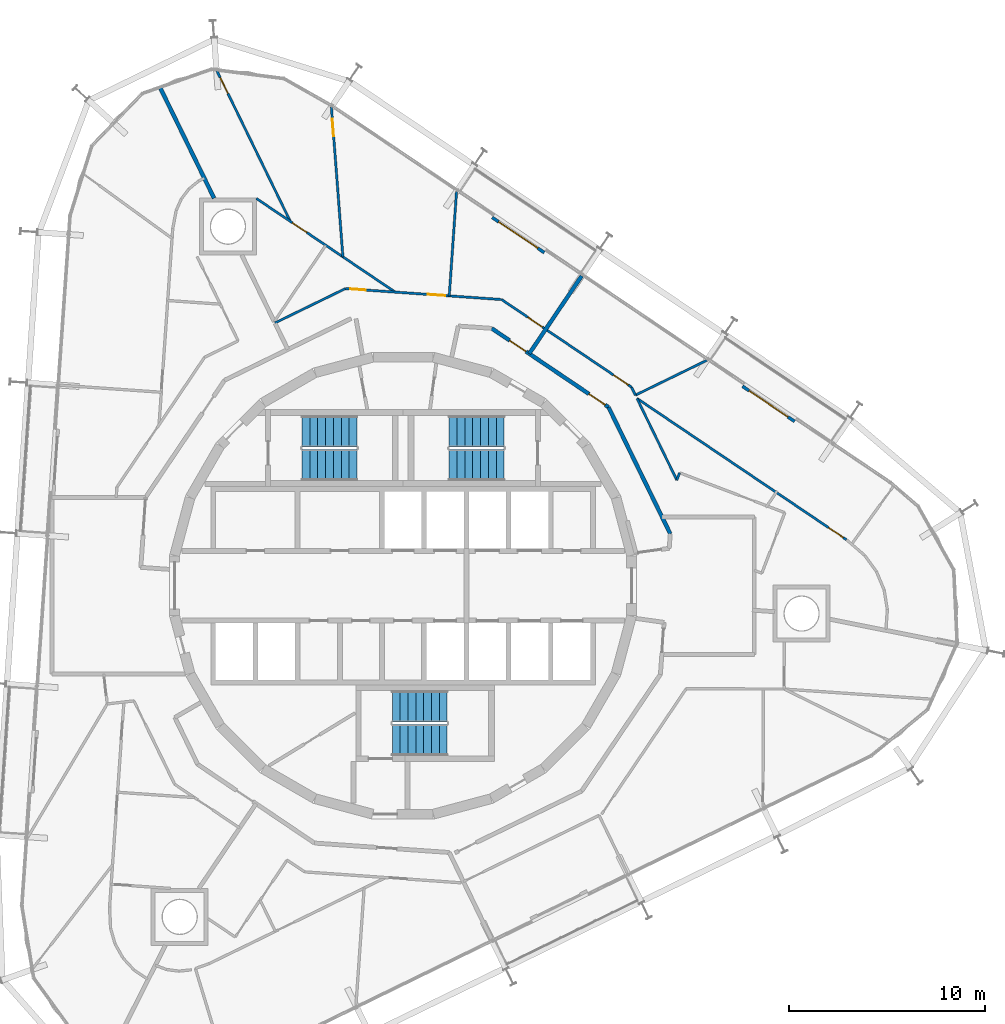
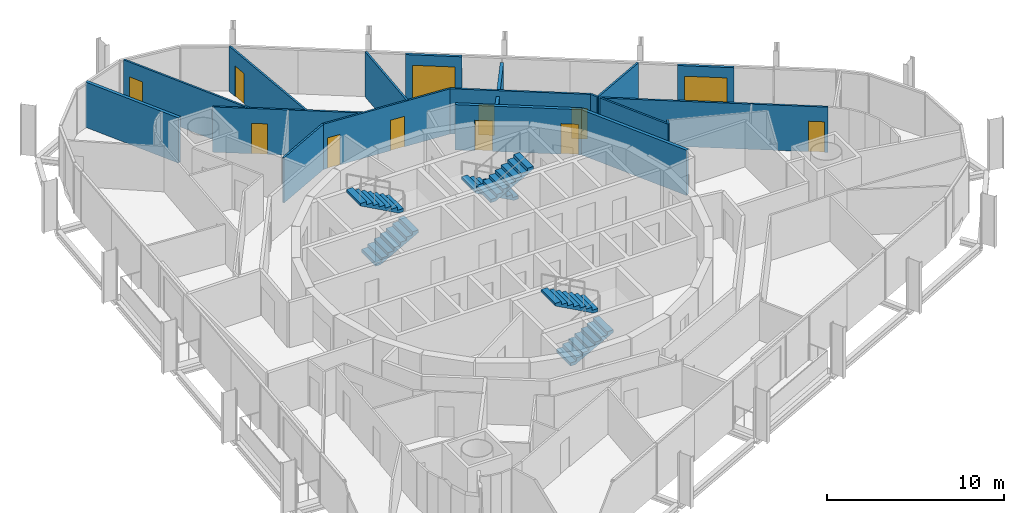
# One storey, part 16 of 17: 18 walls, 12 doors, 6 stair flights, 12 openings, 3 elements without a shape of their own.
"""IFC4 building model written with IfcOpenShell, lengths in metres."""

from ifc_helpers import new_model, si_unit, direction, frame, frame_2d, origin, place, context, subcontext, project, spatial, polyline, rectangle, outline, extrude, material, layer, layer_set, type_object, element, fill, aggregate, save


model = new_model("IFC4")

# Units and contexts
model_context = context("Model", 3, precision=1e-05, world=origin(), true_north=direction((0.0, 1.0)))
body_context = subcontext(model_context, "Body", "Model", "MODEL_VIEW")
ifc_project = project(units=[si_unit("LENGTHUNIT", "METRE"), si_unit("AREAUNIT", "SQUARE_METRE"), si_unit("VOLUMEUNIT", "CUBIC_METRE"), si_unit("PLANEANGLEUNIT", "RADIAN"), si_unit("MASSUNIT", "GRAM", prefix="KILO")], contexts=[model_context])

# Site, building, storey
site_placement = place(None, origin())
site = spatial("IfcSite", under=ifc_project, at=site_placement, CompositionType="ELEMENT")
building_placement = place(site_placement, origin())
building = spatial("IfcBuilding", under=site, at=building_placement, Name="Spindle Arch Residences", CompositionType="ELEMENT")
storey_placement = place(building_placement, frame((0.0, 0.0, 191.89990234375)))
storey = spatial("IfcBuildingStorey", under=building, at=storey_placement, Name="L48", CompositionType="ELEMENT", Elevation=191.89990234375)

# Wall, openings, doors
ifc_material_1 = material(Name="Calcium silicate block, plastered")
ifc_layer_1 = layer(ifc_material_1, 0.199951171875)
ifc_layer_set_1 = layer_set([ifc_layer_1], Name="Corridor wall 200")
wall_type_1 = type_object("IfcWallType", Name="Corridor wall 200", PredefinedType="STANDARD", material=ifc_layer_set_1)
wall_1_placement = place(storey_placement, frame((10.469970703125, 9.101318359375, 0.0), z_axis=(0.0, 0.0, 1.0), x_axis=(-0.829035841718, 0.559195469534, 0.0)))
wall_1 = element("IfcWall", 1, at=wall_1_placement, inside=storey, type_object=wall_type_1, Name="Corridor wall R5A1-W005", PredefinedType="STANDARD", context=body_context, shape_type="SweptSolid", body=[
    extrude(rectangle(XDim=7.18115234375, YDim=0.199951171875, at=frame_2d((3.590576171875, 0.0))), origin(), (0.0, 0.0, 1.0), 3.1201171875),
])
opening_1_placement = place(wall_1_placement, frame((0.199951171875, 0.0, 0.0)))
opening_1 = element("IfcOpeningElement", 2, at=opening_1_placement, cuts=wall_1, Name="Opening R5A1-FD01", PredefinedType="OPENING", context=body_context, shape_type="SweptSolid", body=[
    extrude(rectangle(XDim=1.0, YDim=2.10009765625, at=frame_2d((0.5, 1.050048828125))), frame((0.0, 0.10986328125, 0.0), z_axis=(0.0, -1.0, 0.0), x_axis=(1.0, 0.0, 0.0)), (0.0, 0.0, 1.0), 0.219970703125),
])
opening_2_placement = place(wall_1_placement, frame((5.07275390625, 0.0, 0.0)))
opening_2 = element("IfcOpeningElement", 3, at=opening_2_placement, cuts=wall_1, Name="Opening R5A1-FD02", PredefinedType="OPENING", context=body_context, shape_type="SweptSolid", body=[
    extrude(rectangle(XDim=1.0, YDim=2.10009765625, at=frame_2d((0.5, 1.050048828125))), frame((0.0, 0.10986328125, 0.0), z_axis=(0.0, -1.0, 0.0), x_axis=(1.0, 0.0, 0.0)), (0.0, 0.0, 1.0), 0.219970703125),
])
ifc_material_2 = material(Name="Timber, fire-resisting door set", Category="wood")
door_type_1 = type_object("IfcDoorType", Name="Flat entrance door 1000x2100", OperationType="NOTDEFINED", PredefinedType="DOOR", material=ifc_material_2)
door_1_placement = place(opening_1_placement, origin())
door_1 = element("IfcDoor", 4, at=door_1_placement, inside=storey, type_object=door_type_1, Name="Flat entrance door R5A1-FD01", OperationType="SINGLE_SWING_LEFT", OverallHeight=2.10009765625, OverallWidth=1.0, PredefinedType="DOOR", context=body_context, shape_type="SweptSolid", body=[
    extrude(rectangle(XDim=1.0, YDim=2.10009765625, at=frame_2d((0.5, 1.050048828125))), frame((0.0, 0.02490234375, 0.0), z_axis=(0.0, -1.0, 0.0), x_axis=(1.0, 0.0, 0.0)), (0.0, 0.0, 1.0), 0.050048828125),
])
fill(opening_1, door_1)
door_2_placement = place(opening_2_placement, origin())
door_2 = element("IfcDoor", 5, at=door_2_placement, inside=storey, type_object=door_type_1, Name="Flat entrance door R5A1-FD02", OperationType="SINGLE_SWING_RIGHT", OverallHeight=2.10009765625, OverallWidth=1.0, PredefinedType="DOOR", context=body_context, shape_type="SweptSolid", body=[
    extrude(rectangle(XDim=1.0, YDim=2.10009765625, at=frame_2d((0.5, 1.050048828125))), frame((0.0, 0.02490234375, 0.0), z_axis=(0.0, -1.0, 0.0), x_axis=(1.0, 0.0, 0.0)), (0.0, 0.0, 1.0), 0.050048828125),
])
fill(opening_2, door_2)

# Walls
ifc_material_3 = material(Name="Calcium silicate block, plastered")
ifc_layer_2 = layer(ifc_material_3, 0.199951171875)
ifc_layer_set_2 = layer_set([ifc_layer_2], Name="Fire-lift lobby bay wall 200")
wall_type_2 = type_object("IfcWallType", Name="Fire-lift lobby bay wall 200", PredefinedType="STANDARD", material=ifc_layer_set_2)
wall_2_placement = place(storey_placement, frame((13.617919921875, 2.64697265625, 0.0), z_axis=(0.0, 0.0, 1.0), x_axis=(-0.438366026218, 0.898796543751, 0.0)))
element("IfcWall", 6, at=wall_2_placement, inside=storey, type_object=wall_type_2, Name="Fire-lift lobby bay wall R5A1-W004", PredefinedType="STANDARD", context=body_context, shape_type="SweptSolid", body=[
    extrude(rectangle(XDim=7.18115234375, YDim=0.199951171875, at=frame_2d((3.590576171875, 0.0))), origin(), (0.0, 0.0, 1.0), 3.1201171875),
])
ifc_material_4 = material(Name="Plasterboard on steel studs", Category="steel")
ifc_layer_3 = layer(ifc_material_4, 0.1201171875)
ifc_layer_set_3 = layer_set([ifc_layer_3], Name="Flat partition 120")
wall_type_3 = type_object("IfcWallType", Name="Flat partition 120", PredefinedType="PARTITIONING", material=ifc_layer_set_3)
wall_3_placement = place(storey_placement, frame((14.094482421875, 5.755615234375, 0.0), z_axis=(0.0, 0.0, 1.0), x_axis=(-0.354267529254, -0.935144116014, 0.0)))
element("IfcWall", 7, at=wall_3_placement, inside=storey, type_object=wall_type_3, Name="Flat partition R5A1-W039", PredefinedType="PARTITIONING", context=body_context, shape_type="SweptSolid", body=[
    extrude(rectangle(XDim=0.399658203125, YDim=0.1201171875, at=frame_2d((0.19970703125, 0.0))), origin(), (0.0, 0.0, 1.0), 3.1201171875),
])
wall_4_placement = place(storey_placement, frame((13.952880859375, 5.3818359375, 0.0), z_axis=(0.0, 0.0, 1.0), x_axis=(-0.438382107355, 0.898788700391, 0.0)))
element("IfcWall", 8, at=wall_4_placement, inside=storey, type_object=wall_type_3, Name="Flat partition R5A1-W040", PredefinedType="PARTITIONING", context=body_context, shape_type="SweptSolid", body=[
    extrude(rectangle(XDim=4.633544921875, YDim=0.1201171875, at=frame_2d((2.31689453125, 0.0))), origin(), (0.0, 0.0, 1.0), 3.1201171875),
])
wall_5_placement = place(storey_placement, frame((11.841064453125, 9.711669921875, 0.0), z_axis=(0.0, 0.0, 1.0), x_axis=(-0.438381293215, 0.898789097486, 0.0)))
element("IfcWall", 9, at=wall_5_placement, inside=storey, type_object=wall_type_3, Name="Flat partition R5A1-W041", PredefinedType="PARTITIONING", context=body_context, shape_type="SweptSolid", body=[
    extrude(rectangle(XDim=0.454345703125, YDim=0.1201171875, at=frame_2d((0.22705078125, 0.0))), origin(), (0.0, 0.0, 1.0), 3.1201171875),
])

# Wall, openings, doors
wall_6_placement = place(storey_placement, frame((11.641845703125, 10.1201171875, 0.0), z_axis=(0.0, 0.0, 1.0), x_axis=(-0.829032241779, 0.55920080659, 0.0)))
wall_6 = element("IfcWall", 10, at=wall_6_placement, inside=storey, type_object=wall_type_3, Name="Flat partition R5A1-W042", PredefinedType="PARTITIONING", context=body_context, shape_type="SweptSolid", body=[
    extrude(rectangle(XDim=7.98486328125, YDim=0.1201171875, at=frame_2d((3.992431640625, 0.0))), origin(), (0.0, 0.0, 1.0), 3.1201171875),
])
opening_3_placement = place(wall_6_placement, frame((0.199951171875, 0.0, 0.0)))
opening_3 = element("IfcOpeningElement", 11, at=opening_3_placement, cuts=wall_6, Name="Opening R5A1-ID02", PredefinedType="OPENING", context=body_context, shape_type="SweptSolid", body=[
    extrude(rectangle(XDim=0.89990234375, YDim=2.10009765625, at=frame_2d((0.449951171875, 1.050048828125))), frame((0.0, 0.070068359375, 0.0), z_axis=(0.0, -1.0, 0.0), x_axis=(1.0, 0.0, 0.0)), (0.0, 0.0, 1.0), 0.14013671875),
])
opening_4_placement = place(wall_6_placement, frame((5.474853515625, 0.0, 0.0)))
opening_4 = element("IfcOpeningElement", 12, at=opening_4_placement, cuts=wall_6, Name="Opening R5A1-ID05", PredefinedType="OPENING", context=body_context, shape_type="SweptSolid", body=[
    extrude(rectangle(XDim=0.89990234375, YDim=2.10009765625, at=frame_2d((0.449951171875, 1.050048828125))), frame((0.0, 0.070068359375, 0.0), z_axis=(0.0, -1.0, 0.0), x_axis=(1.0, 0.0, 0.0)), (0.0, 0.0, 1.0), 0.14013671875),
])
ifc_material_5 = material(Name="Timber door set", Category="wood")
door_type_2 = type_object("IfcDoorType", Name="Room door 900x2100", OperationType="NOTDEFINED", PredefinedType="DOOR", material=ifc_material_5)
door_3_placement = place(opening_3_placement, origin())
door_3 = element("IfcDoor", 13, at=door_3_placement, inside=storey, type_object=door_type_2, Name="Room door R5A1-ID02", OperationType="SINGLE_SWING_LEFT", OverallHeight=2.10009765625, OverallWidth=0.89990234375, PredefinedType="DOOR", context=body_context, shape_type="SweptSolid", body=[
    extrude(rectangle(XDim=0.89990234375, YDim=2.10009765625, at=frame_2d((0.449951171875, 1.050048828125))), frame((0.0, 0.02490234375, 0.0), z_axis=(0.0, -1.0, 0.0), x_axis=(1.0, 0.0, 0.0)), (0.0, 0.0, 1.0), 0.050048828125),
])
fill(opening_3, door_3)
door_4_placement = place(opening_4_placement, origin())
door_4 = element("IfcDoor", 14, at=door_4_placement, inside=storey, type_object=door_type_2, Name="Room door R5A1-ID05", OperationType="SINGLE_SWING_RIGHT", OverallHeight=2.10009765625, OverallWidth=0.89990234375, PredefinedType="DOOR", context=body_context, shape_type="SweptSolid", body=[
    extrude(rectangle(XDim=0.89990234375, YDim=2.10009765625, at=frame_2d((0.449951171875, 1.050048828125))), frame((0.0, 0.02490234375, 0.0), z_axis=(0.0, -1.0, 0.0), x_axis=(1.0, 0.0, 0.0)), (0.0, 0.0, 1.0), 0.050048828125),
])
fill(opening_4, door_4)

# Wall, opening, door
wall_7_placement = place(storey_placement, frame((22.598388671875, 2.3447265625, 0.0), z_axis=(0.0, 0.0, 1.0), x_axis=(-0.829034113947, 0.559198031034, 0.0)))
wall_7 = element("IfcWall", 15, at=wall_7_placement, inside=storey, type_object=wall_type_3, Name="Flat partition R5A1-W049", PredefinedType="PARTITIONING", context=body_context, shape_type="SweptSolid", body=[
    extrude(rectangle(XDim=12.878662109375, YDim=0.1201171875, at=frame_2d((6.439453125, 0.0))), origin(), (0.0, 0.0, 1.0), 3.1201171875),
])
opening_5_placement = place(wall_7_placement, frame((0.199951171875, 0.0, 0.0)))
opening_5 = element("IfcOpeningElement", 16, at=opening_5_placement, cuts=wall_7, Name="Opening R5A1-ID03", PredefinedType="OPENING", context=body_context, shape_type="SweptSolid", body=[
    extrude(rectangle(XDim=0.89990234375, YDim=2.10009765625, at=frame_2d((0.449951171875, 1.050048828125))), frame((0.0, 0.070068359375, 0.0), z_axis=(0.0, -1.0, 0.0), x_axis=(1.0, 0.0, 0.0)), (0.0, 0.0, 1.0), 0.14013671875),
])
door_5_placement = place(opening_5_placement, origin())
door_5 = element("IfcDoor", 17, at=door_5_placement, inside=storey, type_object=door_type_2, Name="Room door R5A1-ID03", OperationType="SINGLE_SWING_LEFT", OverallHeight=2.10009765625, OverallWidth=0.89990234375, PredefinedType="DOOR", context=body_context, shape_type="SweptSolid", body=[
    extrude(rectangle(XDim=0.89990234375, YDim=2.10009765625, at=frame_2d((0.449951171875, 1.050048828125))), frame((0.0, 0.02490234375, 0.0), z_axis=(0.0, -1.0, 0.0), x_axis=(1.0, 0.0, 0.0)), (0.0, 0.0, 1.0), 0.050048828125),
])
fill(opening_5, door_5)

# Wall
wall_8_placement = place(storey_placement, frame((15.48193359375, 11.4873046875, 0.0), z_axis=(0.0, 0.0, 1.0), x_axis=(-0.898807251285, -0.438344071521, 0.0)))
element("IfcWall", 18, at=wall_8_placement, inside=storey, type_object=wall_type_3, Name="Flat partition R5A1-W051", PredefinedType="PARTITIONING", context=body_context, shape_type="SweptSolid", body=[
    extrude(rectangle(XDim=4.05078125, YDim=0.1201171875, at=frame_2d((2.025390625, 0.0))), origin(), (0.0, 0.0, 1.0), 3.1201171875),
])

# Wall, openings, doors
wall_9_placement = place(storey_placement, frame((5.022216796875, 14.585205078125, 0.0), z_axis=(0.0, 0.0, 1.0), x_axis=(-0.997565118395, 0.069741197017, 0.0)))
wall_9 = element("IfcWall", 19, at=wall_9_placement, inside=storey, type_object=wall_type_3, Name="Flat partition R5A1-W052", PredefinedType="PARTITIONING", context=body_context, shape_type="SweptSolid", body=[
    extrude(rectangle(XDim=7.985107421875, YDim=0.1201171875, at=frame_2d((3.99267578125, 0.0))), origin(), (0.0, 0.0, 1.0), 3.1201171875),
])
opening_6_placement = place(wall_9_placement, frame((2.87548828125, 0.0, 0.0)))
opening_6 = element("IfcOpeningElement", 20, at=opening_6_placement, cuts=wall_9, Name="Opening R5A1-ID06", PredefinedType="OPENING", context=body_context, shape_type="SweptSolid", body=[
    extrude(rectangle(XDim=0.89990234375, YDim=2.10009765625, at=frame_2d((0.449951171875, 1.050048828125))), frame((0.0, 0.070068359375, 0.0), z_axis=(0.0, -1.0, 0.0), x_axis=(1.0, 0.0, 0.0)), (0.0, 0.0, 1.0), 0.14013671875),
])
opening_7_placement = place(wall_9_placement, frame((6.9384765625, 0.0, 0.0)))
opening_7 = element("IfcOpeningElement", 21, at=opening_7_placement, cuts=wall_9, Name="Opening R5A1-BD02", PredefinedType="OPENING", context=body_context, shape_type="SweptSolid", body=[
    extrude(rectangle(XDim=0.800048828125, YDim=2.10009765625, at=frame_2d((0.39990234375, 1.050048828125))), frame((0.0, 0.070068359375, 0.0), z_axis=(0.0, -1.0, 0.0), x_axis=(1.0, 0.0, 0.0)), (0.0, 0.0, 1.0), 0.14013671875),
])
ifc_material_6 = material(Name="Timber door set", Category="wood")
door_type_3 = type_object("IfcDoorType", Name="Bathroom door 800x2100", OperationType="NOTDEFINED", PredefinedType="DOOR", material=ifc_material_6)
door_6_placement = place(opening_7_placement, origin())
door_6 = element("IfcDoor", 22, at=door_6_placement, inside=storey, type_object=door_type_3, Name="Bathroom door R5A1-BD02", OperationType="SINGLE_SWING_RIGHT", OverallHeight=2.10009765625, OverallWidth=0.800048828125, PredefinedType="DOOR", context=body_context, shape_type="SweptSolid", body=[
    extrude(rectangle(XDim=0.800048828125, YDim=2.10009765625, at=frame_2d((0.39990234375, 1.050048828125))), frame((0.0, 0.02490234375, 0.0), z_axis=(0.0, -1.0, 0.0), x_axis=(1.0, 0.0, 0.0)), (0.0, 0.0, 1.0), 0.050048828125),
])
fill(opening_7, door_6)
door_7_placement = place(opening_6_placement, origin())
door_7 = element("IfcDoor", 23, at=door_7_placement, inside=storey, type_object=door_type_2, Name="Room door R5A1-ID06", OperationType="SINGLE_SWING_RIGHT", OverallHeight=2.10009765625, OverallWidth=0.89990234375, PredefinedType="DOOR", context=body_context, shape_type="SweptSolid", body=[
    extrude(rectangle(XDim=0.89990234375, YDim=2.10009765625, at=frame_2d((0.449951171875, 1.050048828125))), frame((0.0, 0.02490234375, 0.0), z_axis=(0.0, -1.0, 0.0), x_axis=(1.0, 0.0, 0.0)), (0.0, 0.0, 1.0), 0.050048828125),
])
fill(opening_6, door_7)

# Walls
wall_10_placement = place(storey_placement, frame((-2.943359375, 15.14208984375, 0.0), z_axis=(0.0, 0.0, 1.0), x_axis=(-0.89881075705, -0.438336883014, 0.0)))
element("IfcWall", 24, at=wall_10_placement, inside=storey, type_object=wall_type_3, Name="Flat partition R5A1-W053", PredefinedType="PARTITIONING", context=body_context, shape_type="SweptSolid", body=[
    extrude(rectangle(XDim=3.992431640625, YDim=0.1201171875, at=frame_2d((1.99609375, 0.0))), origin(), (0.0, 0.0, 1.0), 3.1201171875),
])
wall_11_placement = place(storey_placement, frame((2.72509765625, 20.091796875, 0.0), z_axis=(0.0, 0.0, 1.0), x_axis=(-0.069766716578, -0.997563333958, 0.0)))
element("IfcWall", 25, at=wall_11_placement, inside=storey, type_object=wall_type_3, Name="Flat partition R5A1-W054", PredefinedType="PARTITIONING", context=body_context, shape_type="SweptSolid", body=[
    extrude(rectangle(XDim=5.3330078125, YDim=0.1201171875, at=frame_2d((2.66650390625, 0.0))), origin(), (0.0, 0.0, 1.0), 3.1201171875),
])

# Wall, opening, door
wall_12_placement = place(storey_placement, frame((-7.475830078125, 19.735107421875, 0.0), z_axis=(0.0, 0.0, 1.0), x_axis=(0.829035412992, -0.559196105142, 0.0)))
wall_12 = element("IfcWall", 26, at=wall_12_placement, inside=storey, type_object=wall_type_3, Name="Flat partition R5A1-W055", PredefinedType="PARTITIONING", context=body_context, shape_type="SweptSolid", body=[
    extrude(rectangle(XDim=8.531005859375, YDim=0.1201171875, at=frame_2d((4.265625, 0.0))), origin(), (0.0, 0.0, 1.0), 3.1201171875),
])
opening_8_placement = place(wall_12_placement, frame((2.20361328125, 0.0, 0.0)))
opening_8 = element("IfcOpeningElement", 27, at=opening_8_placement, cuts=wall_12, Name="Opening R5A1-ID08", PredefinedType="OPENING", context=body_context, shape_type="SweptSolid", body=[
    extrude(rectangle(XDim=0.89990234375, YDim=2.10009765625, at=frame_2d((0.449951171875, 1.050048828125))), frame((0.0, 0.070068359375, 0.0), z_axis=(0.0, -1.0, 0.0), x_axis=(1.0, 0.0, 0.0)), (0.0, 0.0, 1.0), 0.14013671875),
])
door_8_placement = place(opening_8_placement, origin())
door_8 = element("IfcDoor", 28, at=door_8_placement, inside=storey, type_object=door_type_2, Name="Room door R5A1-ID08", OperationType="SINGLE_SWING_LEFT", OverallHeight=2.10009765625, OverallWidth=0.89990234375, PredefinedType="DOOR", context=body_context, shape_type="SweptSolid", body=[
    extrude(rectangle(XDim=0.89990234375, YDim=2.10009765625, at=frame_2d((0.449951171875, 1.050048828125))), frame((0.0, 0.02490234375, 0.0), z_axis=(0.0, -1.0, 0.0), x_axis=(1.0, 0.0, 0.0)), (0.0, 0.0, 1.0), 0.050048828125),
])
fill(opening_8, door_8)

wall_13_placement = place(storey_placement, frame((-3.6533203125, 24.39404296875, 0.0), z_axis=(0.0, 0.0, 1.0), x_axis=(0.076513576433, -0.997068539581, 0.0)))
wall_13 = element("IfcWall", 29, at=wall_13_placement, inside=storey, type_object=wall_type_3, Name="Flat partition R5A1-W056", PredefinedType="PARTITIONING", context=body_context, shape_type="SweptSolid", body=[
    extrude(rectangle(XDim=7.65478515625, YDim=0.1201171875, at=frame_2d((3.827392578125, 0.0))), origin(), (0.0, 0.0, 1.0), 3.1201171875),
])
opening_9_placement = place(wall_13_placement, frame((0.60009765625, 0.0, 0.0)))
opening_9 = element("IfcOpeningElement", 30, at=opening_9_placement, cuts=wall_13, Name="Opening R5A1-ID07", PredefinedType="OPENING", context=body_context, shape_type="SweptSolid", body=[
    extrude(rectangle(XDim=0.89990234375, YDim=2.10009765625, at=frame_2d((0.449951171875, 1.050048828125))), frame((0.0, 0.070068359375, 0.0), z_axis=(0.0, -1.0, 0.0), x_axis=(1.0, 0.0, 0.0)), (0.0, 0.0, 1.0), 0.14013671875),
])
door_9_placement = place(opening_9_placement, origin())
door_9 = element("IfcDoor", 31, at=door_9_placement, inside=storey, type_object=door_type_2, Name="Room door R5A1-ID07", OperationType="SINGLE_SWING_RIGHT", OverallHeight=2.10009765625, OverallWidth=0.89990234375, PredefinedType="DOOR", context=body_context, shape_type="SweptSolid", body=[
    extrude(rectangle(XDim=0.89990234375, YDim=2.10009765625, at=frame_2d((0.449951171875, 1.050048828125))), frame((0.0, 0.02490234375, 0.0), z_axis=(0.0, -1.0, 0.0), x_axis=(1.0, 0.0, 0.0)), (0.0, 0.0, 1.0), 0.050048828125),
])
fill(opening_9, door_9)

wall_14_placement = place(storey_placement, frame((-9.49609375, 26.25390625, 0.0), z_axis=(0.0, 0.0, 1.0), x_axis=(0.438361739807, -0.89879863433, 0.0)))
wall_14 = element("IfcWall", 32, at=wall_14_placement, inside=storey, type_object=wall_type_3, Name="Flat partition R5A1-W058", PredefinedType="PARTITIONING", context=body_context, shape_type="SweptSolid", body=[
    extrude(rectangle(XDim=8.549072265625, YDim=0.1201171875, at=frame_2d((4.2744140625, 0.0))), origin(), (0.0, 0.0, 1.0), 3.1201171875),
])
opening_10_placement = place(wall_14_placement, frame((0.39990234375, 0.0, 0.0)))
opening_10 = element("IfcOpeningElement", 33, at=opening_10_placement, cuts=wall_14, Name="Opening R5A1-ID09", PredefinedType="OPENING", context=body_context, shape_type="SweptSolid", body=[
    extrude(rectangle(XDim=0.89990234375, YDim=2.10009765625, at=frame_2d((0.449951171875, 1.050048828125))), frame((0.0, 0.070068359375, 0.0), z_axis=(0.0, -1.0, 0.0), x_axis=(1.0, 0.0, 0.0)), (0.0, 0.0, 1.0), 0.14013671875),
])
door_10_placement = place(opening_10_placement, origin())
door_10 = element("IfcDoor", 34, at=door_10_placement, inside=storey, type_object=door_type_2, Name="Room door R5A1-ID09", OperationType="SINGLE_SWING_RIGHT", OverallHeight=2.10009765625, OverallWidth=0.89990234375, PredefinedType="DOOR", context=body_context, shape_type="SweptSolid", body=[
    extrude(rectangle(XDim=0.89990234375, YDim=2.10009765625, at=frame_2d((0.449951171875, 1.050048828125))), frame((0.0, 0.02490234375, 0.0), z_axis=(0.0, -1.0, 0.0), x_axis=(1.0, 0.0, 0.0)), (0.0, 0.0, 1.0), 0.050048828125),
])
fill(opening_10, door_10)

# Walls
ifc_material_7 = material(Name="Calcium silicate block, plastered")
ifc_layer_4 = layer(ifc_material_7, 0.199951171875)
ifc_layer_set_4 = layer_set([ifc_layer_4], Name="Flat party wall 200")
wall_type_4 = type_object("IfcWallType", Name="Flat party wall 200", PredefinedType="STANDARD", material=ifc_layer_set_4)
wall_15_placement = place(storey_placement, frame((-12.4091796875, 25.4423828125, 0.0), z_axis=(0.0, 0.0, 1.0), x_axis=(0.43838641251, -0.898786600549, 0.0)))
element("IfcWall", 35, at=wall_15_placement, inside=storey, type_object=wall_type_4, Name="Flat party wall R5A1-W032", PredefinedType="STANDARD", context=body_context, shape_type="SweptSolid", body=[
    extrude(rectangle(XDim=6.33251953125, YDim=0.199951171875, at=frame_2d((3.166259765625, 0.0))), origin(), (0.0, 0.0, 1.0), 3.1201171875),
])
ifc_material_8 = material(Name="Calcium silicate block, plastered")
ifc_layer_5 = layer(ifc_material_8, 0.199951171875)
ifc_layer_set_5 = layer_set([ifc_layer_5], Name="Flat party wall 200 under beam 2730")
wall_type_5 = type_object("IfcWallType", Name="Flat party wall 200 under beam 2730", PredefinedType="STANDARD", material=ifc_layer_set_5)
wall_16_placement = place(storey_placement, frame((9.103515625, 15.78955078125, 0.0), z_axis=(0.0, 0.0, 1.0), x_axis=(-0.559193912135, -0.829036892201, 0.0)))
element("IfcWall", 36, at=wall_16_placement, inside=storey, type_object=wall_type_5, Name="Flat party wall R5A1-W027", PredefinedType="STANDARD", context=body_context, shape_type="SweptSolid", body=[
    extrude(rectangle(XDim=4.78076171875, YDim=0.199951171875, at=frame_2d((2.390380859375, 0.0))), origin(), (0.0, 0.0, 1.0), 2.72998046875),
])

# Wall, opening, door
ifc_material_9 = material(Name="Non-combustible mineral wool insulated aluminium faced external wall (K0)", Category="aluminium")
ifc_layer_6 = layer(ifc_material_9, 0.159912109375)
ifc_layer_set_6 = layer_set([ifc_layer_6], Name="Insulated external wall panel 160")
wall_type_6 = type_object("IfcWallType", Name="Insulated external wall panel 160", PredefinedType="STANDARD", material=ifc_layer_set_6)
wall_17_placement = place(storey_placement, frame((19.952880859375, 8.375244140625, 0.0), z_axis=(0.0, 0.0, 1.0), x_axis=(-0.829068838882, 0.55914654644, 0.0)))
wall_17 = element("IfcWall", 37, at=wall_17_placement, inside=storey, type_object=wall_type_6, Name="External wall L48 bay 6", PredefinedType="STANDARD", context=body_context, shape_type="SweptSolid", body=[
    extrude(rectangle(XDim=3.199951171875, YDim=0.159912109375, at=frame_2d((1.60009765625, 0.0))), origin(), (0.0, 0.0, 1.0), 3.1201171875),
])
opening_11_placement = place(wall_17_placement, frame((0.39990234375, 0.0, 0.0)))
opening_11 = element("IfcOpeningElement", 38, at=opening_11_placement, cuts=wall_17, Name="Opening BD06", PredefinedType="OPENING", context=body_context, shape_type="SweptSolid", body=[
    extrude(rectangle(XDim=2.39990234375, YDim=2.39990234375, at=frame_2d((1.199951171875, 1.199951171875))), frame((0.0, 0.08984375, 0.0), z_axis=(0.0, -1.0, 0.0), x_axis=(1.0, 0.0, 0.0)), (0.0, 0.0, 1.0), 0.179931640625),
])
ifc_material_10 = material(Name="Bronze aluminium frame, tinted double glazing", Category="aluminium")
door_type_4 = type_object("IfcDoorType", Name="Sliding glazed balcony door 2400x2400", OperationType="DOUBLE_DOOR_SLIDING", PredefinedType="DOOR", material=ifc_material_10)
door_11_placement = place(opening_11_placement, origin())
door_11 = element("IfcDoor", 39, at=door_11_placement, inside=storey, type_object=door_type_4, Name="Balcony door BD06", OperationType="DOUBLE_DOOR_SLIDING", OverallHeight=2.39990234375, OverallWidth=2.39990234375, PredefinedType="DOOR", context=body_context, shape_type="SweptSolid", body=[
    extrude(rectangle(XDim=2.39990234375, YDim=2.39990234375, at=frame_2d((1.199951171875, 1.199951171875))), frame((0.0, 0.02490234375, 0.0), z_axis=(0.0, -1.0, 0.0), x_axis=(1.0, 0.0, 0.0)), (0.0, 0.0, 1.0), 0.050048828125),
])
fill(opening_11, door_11)

wall_18_placement = place(storey_placement, frame((7.196044921875, 16.979736328125, 0.0), z_axis=(0.0, 0.0, 1.0), x_axis=(-0.829044984211, 0.559181915082, 0.0)))
wall_18 = element("IfcWall", 40, at=wall_18_placement, inside=storey, type_object=wall_type_6, Name="External wall L48 bay 8", PredefinedType="STANDARD", context=body_context, shape_type="SweptSolid", body=[
    extrude(rectangle(XDim=3.199951171875, YDim=0.159912109375, at=frame_2d((1.60009765625, 0.0))), origin(), (0.0, 0.0, 1.0), 3.1201171875),
])
opening_12_placement = place(wall_18_placement, frame((0.39990234375, 0.0, 0.0)))
opening_12 = element("IfcOpeningElement", 41, at=opening_12_placement, cuts=wall_18, Name="Opening BD08", PredefinedType="OPENING", context=body_context, shape_type="SweptSolid", body=[
    extrude(rectangle(XDim=2.39990234375, YDim=2.39990234375, at=frame_2d((1.199951171875, 1.199951171875))), frame((0.0, 0.08984375, 0.0), z_axis=(0.0, -1.0, 0.0), x_axis=(1.0, 0.0, 0.0)), (0.0, 0.0, 1.0), 0.179931640625),
])
door_12_placement = place(opening_12_placement, origin())
door_12 = element("IfcDoor", 42, at=door_12_placement, inside=storey, type_object=door_type_4, Name="Balcony door BD08", OperationType="DOUBLE_DOOR_SLIDING", OverallHeight=2.39990234375, OverallWidth=2.39990234375, PredefinedType="DOOR", context=body_context, shape_type="SweptSolid", body=[
    extrude(rectangle(XDim=2.39990234375, YDim=2.39990234375, at=frame_2d((1.199951171875, 1.199951171875))), frame((0.0, 0.02490234375, 0.0), z_axis=(0.0, -1.0, 0.0), x_axis=(1.0, 0.0, 0.0)), (0.0, 0.0, 1.0), 0.050048828125),
])
fill(opening_12, door_12)

# Stair, stair flights
ifc_material_11 = material(Name="Concrete C50/60", Category="concrete")
stair_type = type_object("IfcStairType", Name="Exit stair 16 risers", PredefinedType="HALF_TURN_STAIR", material=ifc_material_11)
stair_1_placement = place(storey_placement, origin())
stair_1 = element("IfcStair", 43, at=stair_1_placement, inside=storey, type_object=stair_type, Name="L48 Exit stair ST1", PredefinedType="HALF_TURN_STAIR")
ifc_material_12 = material(Name="Concrete C50/60", Category="concrete")
stair_flight_type = type_object("IfcStairFlightType", Name="Exit stair flight", PredefinedType="STRAIGHT", material=ifc_material_12)
stair_flight_1_placement = place(storey_placement, frame((5.14990234375, 7.8701171875, 0.0), z_axis=(0.0, 0.0, 1.0), x_axis=(-1.0, 0.0, 0.0)))
stair_flight_1 = element("IfcStairFlight", 44, at=stair_flight_1_placement, type_object=stair_flight_type, Name="ST1 flight 1", NumberOfRisers=8, NumberOfTreads=7, PredefinedType="STRAIGHT", RiserHeight=0.21875, TreadLength=0.4, context=body_context, shape_type="SweptSolid", body=[
    extrude(outline(polyline([(0.0, 0.0), (0.0, 0.21875), (0.39990234375, 0.21875), (0.39990234375, 0.4375), (0.800048828125, 0.4375), (0.800048828125, 0.65625), (1.199951171875, 0.65625), (1.199951171875, 0.875), (1.60009765625, 0.875), (1.60009765625, 1.09375), (2.0, 1.09375), (2.0, 1.3125), (2.39990234375, 1.3125), (2.39990234375, 1.53125), (2.800048828125, 1.53125), (2.800048828125, 1.75), (2.800048828125, 1.3603515625), (0.3125, 0.0), (0.0, 0.0)])), frame((0.0, 0.800048828125, 0.0), z_axis=(0.0, -1.0, 0.0), x_axis=(1.0, 0.0, 0.0)), (0.0, 0.0, 1.0), 1.60009765625),
])
stair_flight_2_placement = place(storey_placement, frame((2.35009765625, 6.14990234375, 1.75), z_axis=(0.0, 0.0, 1.0), x_axis=(1.0, 0.0, 0.0)))
stair_flight_2 = element("IfcStairFlight", 45, at=stair_flight_2_placement, type_object=stair_flight_type, Name="ST1 flight 2", NumberOfRisers=8, NumberOfTreads=7, PredefinedType="STRAIGHT", RiserHeight=0.21875, TreadLength=0.4, context=body_context, shape_type="SweptSolid", body=[
    extrude(outline(polyline([(0.0, 0.0), (0.0, 0.21875), (0.39990234375, 0.21875), (0.39990234375, 0.4375), (0.800048828125, 0.4375), (0.800048828125, 0.65625), (1.199951171875, 0.65625), (1.199951171875, 0.875), (1.60009765625, 0.875), (1.60009765625, 1.09375), (2.0, 1.09375), (2.0, 1.3125), (2.39990234375, 1.3125), (2.39990234375, 1.53125), (2.800048828125, 1.53125), (2.800048828125, 1.75), (2.800048828125, 1.3603515625), (0.3125, 0.0), (0.0, 0.0)])), frame((0.0, 0.800048828125, 0.0), z_axis=(0.0, -1.0, 0.0), x_axis=(1.0, 0.0, 0.0)), (0.0, 0.0, 1.0), 1.60009765625),
])
aggregate(stair_1, [stair_flight_1, stair_flight_2])

stair_2_placement = place(storey_placement, origin())
stair_2 = element("IfcStair", 46, at=stair_2_placement, inside=storey, type_object=stair_type, Name="L48 Exit stair ST2", PredefinedType="HALF_TURN_STAIR")
stair_flight_3_placement = place(storey_placement, frame((-5.14990234375, 6.14990234375, 0.0), z_axis=(0.0, 0.0, 1.0), x_axis=(1.0, 0.0, 0.0)))
stair_flight_3 = element("IfcStairFlight", 47, at=stair_flight_3_placement, type_object=stair_flight_type, Name="ST2 flight 1", NumberOfRisers=8, NumberOfTreads=7, PredefinedType="STRAIGHT", RiserHeight=0.21875, TreadLength=0.4, context=body_context, shape_type="SweptSolid", body=[
    extrude(outline(polyline([(0.0, 0.0), (0.0, 0.21875), (0.39990234375, 0.21875), (0.39990234375, 0.4375), (0.800048828125, 0.4375), (0.800048828125, 0.65625), (1.199951171875, 0.65625), (1.199951171875, 0.875), (1.60009765625, 0.875), (1.60009765625, 1.09375), (2.0, 1.09375), (2.0, 1.3125), (2.39990234375, 1.3125), (2.39990234375, 1.53125), (2.800048828125, 1.53125), (2.800048828125, 1.75), (2.800048828125, 1.3603515625), (0.3125, 0.0), (0.0, 0.0)])), frame((0.0, 0.800048828125, 0.0), z_axis=(0.0, -1.0, 0.0), x_axis=(1.0, 0.0, 0.0)), (0.0, 0.0, 1.0), 1.60009765625),
])
stair_flight_4_placement = place(storey_placement, frame((-2.35009765625, 7.8701171875, 1.75), z_axis=(0.0, 0.0, 1.0), x_axis=(-1.0, 0.0, 0.0)))
stair_flight_4 = element("IfcStairFlight", 48, at=stair_flight_4_placement, type_object=stair_flight_type, Name="ST2 flight 2", NumberOfRisers=8, NumberOfTreads=7, PredefinedType="STRAIGHT", RiserHeight=0.21875, TreadLength=0.4, context=body_context, shape_type="SweptSolid", body=[
    extrude(outline(polyline([(0.0, 0.0), (0.0, 0.21875), (0.39990234375, 0.21875), (0.39990234375, 0.4375), (0.800048828125, 0.4375), (0.800048828125, 0.65625), (1.199951171875, 0.65625), (1.199951171875, 0.875), (1.60009765625, 0.875), (1.60009765625, 1.09375), (2.0, 1.09375), (2.0, 1.3125), (2.39990234375, 1.3125), (2.39990234375, 1.53125), (2.800048828125, 1.53125), (2.800048828125, 1.75), (2.800048828125, 1.3603515625), (0.3125, 0.0), (0.0, 0.0)])), frame((0.0, 0.800048828125, 0.0), z_axis=(0.0, -1.0, 0.0), x_axis=(1.0, 0.0, 0.0)), (0.0, 0.0, 1.0), 1.60009765625),
])
aggregate(stair_2, [stair_flight_3, stair_flight_4])

stair_3_placement = place(storey_placement, origin())
stair_3 = element("IfcStair", 49, at=stair_3_placement, inside=storey, type_object=stair_type, Name="L48 Exit stair ST3", PredefinedType="HALF_TURN_STAIR")
stair_flight_5_placement = place(storey_placement, frame((-0.550048828125, -7.8701171875, 0.0), z_axis=(0.0, 0.0, 1.0), x_axis=(1.0, 0.0, 0.0)))
stair_flight_5 = element("IfcStairFlight", 50, at=stair_flight_5_placement, type_object=stair_flight_type, Name="ST3 flight 1", NumberOfRisers=8, NumberOfTreads=7, PredefinedType="STRAIGHT", RiserHeight=0.21875, TreadLength=0.4, context=body_context, shape_type="SweptSolid", body=[
    extrude(outline(polyline([(0.0, 0.0), (0.0, 0.21875), (0.39990234375, 0.21875), (0.39990234375, 0.4375), (0.800048828125, 0.4375), (0.800048828125, 0.65625), (1.199951171875, 0.65625), (1.199951171875, 0.875), (1.60009765625, 0.875), (1.60009765625, 1.09375), (2.0, 1.09375), (2.0, 1.3125), (2.39990234375, 1.3125), (2.39990234375, 1.53125), (2.800048828125, 1.53125), (2.800048828125, 1.75), (2.800048828125, 1.3603515625), (0.3125, 0.0), (0.0, 0.0)])), frame((0.0, 0.800048828125, 0.0), z_axis=(0.0, -1.0, 0.0), x_axis=(1.0, 0.0, 0.0)), (0.0, 0.0, 1.0), 1.60009765625),
])
stair_flight_6_placement = place(storey_placement, frame((2.25, -6.14990234375, 1.75), z_axis=(0.0, 0.0, 1.0), x_axis=(-1.0, 0.0, 0.0)))
stair_flight_6 = element("IfcStairFlight", 51, at=stair_flight_6_placement, type_object=stair_flight_type, Name="ST3 flight 2", NumberOfRisers=8, NumberOfTreads=7, PredefinedType="STRAIGHT", RiserHeight=0.21875, TreadLength=0.4, context=body_context, shape_type="SweptSolid", body=[
    extrude(outline(polyline([(0.0, 0.0), (0.0, 0.21875), (0.39990234375, 0.21875), (0.39990234375, 0.4375), (0.800048828125, 0.4375), (0.800048828125, 0.65625), (1.199951171875, 0.65625), (1.199951171875, 0.875), (1.60009765625, 0.875), (1.60009765625, 1.09375), (2.0, 1.09375), (2.0, 1.3125), (2.39990234375, 1.3125), (2.39990234375, 1.53125), (2.800048828125, 1.53125), (2.800048828125, 1.75), (2.800048828125, 1.3603515625), (0.3125, 0.0), (0.0, 0.0)])), frame((0.0, 0.800048828125, 0.0), z_axis=(0.0, -1.0, 0.0), x_axis=(1.0, 0.0, 0.0)), (0.0, 0.0, 1.0), 1.60009765625),
])
aggregate(stair_3, [stair_flight_5, stair_flight_6])

save(model, "model.ifc")
